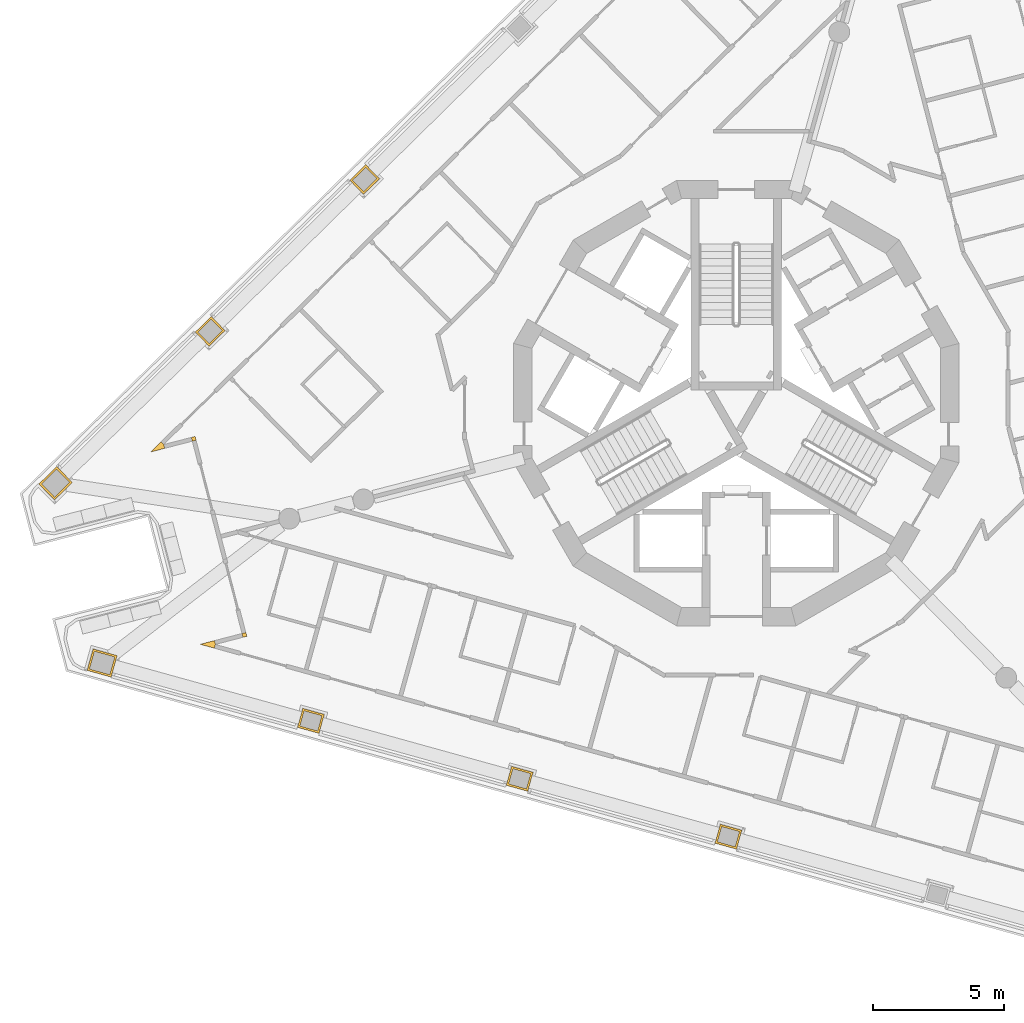
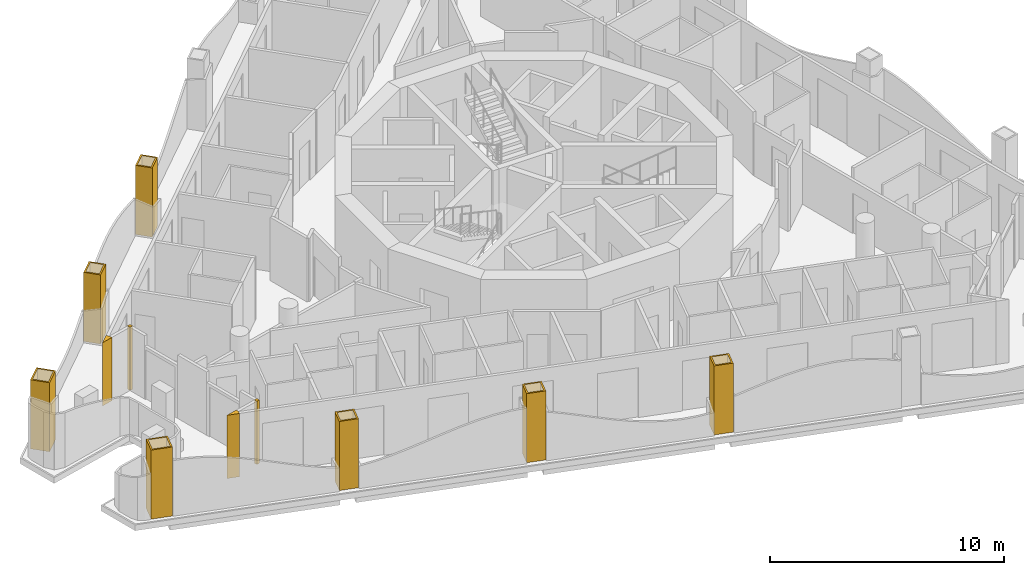
# One storey, part 10 of 15: 11 coverings.
"""IFC4 building model written with IfcOpenShell, lengths in metres."""

from ifc_helpers import new_model, si_unit, direction, frame, origin, place, context, subcontext, project, spatial, polyline, outline, extrude, material, layer, layer_set, type_object, element, save


model = new_model("IFC4")

# Units and contexts
model_context = context("Model", 3, precision=1e-05, world=origin(), true_north=direction((0.0, 1.0)))
body_context = subcontext(model_context, "Body", "Model", "MODEL_VIEW")
ifc_project = project(units=[si_unit("LENGTHUNIT", "METRE"), si_unit("AREAUNIT", "SQUARE_METRE"), si_unit("VOLUMEUNIT", "CUBIC_METRE"), si_unit("PLANEANGLEUNIT", "RADIAN"), si_unit("MASSUNIT", "GRAM", prefix="KILO")], contexts=[model_context])

# Site, building, storey
site_placement = place(None, origin())
site = spatial("IfcSite", under=ifc_project, at=site_placement, CompositionType="ELEMENT")
building_placement = place(site_placement, origin())
building = spatial("IfcBuilding", under=site, at=building_placement, Name="Trine Commons Tower", CompositionType="ELEMENT")
storey_placement = place(building_placement, frame((0.0, 0.0, 256.5)))
storey = spatial("IfcBuildingStorey", under=building, at=storey_placement, Name="L67", CompositionType="ELEMENT", Elevation=256.5)

# Coverings
ifc_material_1 = material(Name="Aluminium-framed insulated wall panel", Category="aluminium")
ifc_layer_1 = layer(ifc_material_1, 0.14990234375)
ifc_layer_set_1 = layer_set([ifc_layer_1], Name="Aluminium-framed insulated wall panel")
covering_type_1 = type_object("IfcCoveringType", Name="Glazing corner post, aluminium", PredefinedType="CLADDING", material=ifc_layer_set_1)
covering_1_placement = place(storey_placement, origin())
element("IfcCovering", 1, at=covering_1_placement, inside=storey, type_object=covering_type_1, Name="Glazing corner post 7-01", PredefinedType="CLADDING", context=body_context, shape_type="SweptSolid", body=[
    extrude(outline(polyline([(58.186279296875, 60.773193359375), (58.14892578125, 60.91845703125), (58.043701171875, 61.025390625), (57.644287109375, 60.63330078125), (58.186279296875, 60.773193359375)])), origin(), (0.0, 0.0, 1.0), 3.300048828125),
])
covering_2_placement = place(storey_placement, origin())
element("IfcCovering", 2, at=covering_2_placement, inside=storey, type_object=covering_type_1, Name="Glazing corner post 7-10", PredefinedType="CLADDING", context=body_context, shape_type="SweptSolid", body=[
    extrude(outline(polyline([(60.081787109375, 53.14501953125), (60.121826171875, 53.28955078125), (60.084228515625, 53.434814453125), (59.542236328125, 53.294677734375), (60.081787109375, 53.14501953125)])), origin(), (0.0, 0.0, 1.0), 3.300048828125),
])
covering_3_placement = place(storey_placement, origin())
element("IfcCovering", 3, at=covering_3_placement, inside=storey, type_object=covering_type_1, Name="Glazing corner post 7-11", PredefinedType="CLADDING", context=body_context, shape_type="SweptSolid", body=[
    extrude(outline(polyline([(61.135498046875, 53.70654296875), (61.135498046875, 53.70654296875), (61.173095703125, 53.561279296875), (61.318115234375, 53.598876953125), (61.28076171875, 53.744140625), (61.135498046875, 53.70654296875)])), origin(), (0.0, 0.0, 1.0), 3.300048828125),
])
covering_4_placement = place(storey_placement, origin())
element("IfcCovering", 4, at=covering_4_placement, inside=storey, type_object=covering_type_1, Name="Glazing corner post 7-12", PredefinedType="CLADDING", context=body_context, shape_type="SweptSolid", body=[
    extrude(outline(polyline([(59.199951171875, 61.1904296875), (59.237548828125, 61.045166015625), (59.3828125, 61.082763671875), (59.34521484375, 61.227783203125), (59.199951171875, 61.1904296875)])), origin(), (0.0, 0.0, 1.0), 3.300048828125),
])
ifc_material_2 = material(Name="Limestone, honed", Category="masonry")
ifc_layer_2 = layer(ifc_material_2, 0.074951171875)
ifc_layer_set_2 = layer_set([ifc_layer_2], Name="Limestone, honed")
covering_type_2 = type_object("IfcCoveringType", Name="Limestone column cladding 75", PredefinedType="CLADDING", material=ifc_layer_set_2)
covering_5_placement = place(storey_placement, origin())
element("IfcCovering", 5, at=covering_5_placement, inside=storey, type_object=covering_type_2, Name="Limestone pier cladding 7-03", PredefinedType="CLADDING", context=body_context, shape_type="SweptSolid", body=[
    extrude(outline(polyline([(79.3916015625, 46.42529296875), (79.19091796875, 45.70263671875), (80.010009765625, 45.4755859375), (80.210693359375, 46.1982421875), (79.3916015625, 46.42529296875)]), holes=[polyline([(79.443603515625, 46.3330078125), (79.283447265625, 45.7548828125), (79.9580078125, 45.56787109375), (80.1181640625, 46.14599609375), (79.443603515625, 46.3330078125)])]), origin(), (0.0, 0.0, 1.0), 3.60009765625),
])
covering_6_placement = place(storey_placement, origin())
element("IfcCovering", 6, at=covering_6_placement, inside=storey, type_object=covering_type_2, Name="Limestone pier cladding 7-04", PredefinedType="CLADDING", context=body_context, shape_type="SweptSolid", body=[
    extrude(outline(polyline([(71.423583984375, 48.635009765625), (71.222900390625, 47.912353515625), (72.0419921875, 47.685302734375), (72.24267578125, 48.407958984375), (71.423583984375, 48.635009765625)]), holes=[polyline([(71.4755859375, 48.542724609375), (71.3154296875, 47.964599609375), (71.989990234375, 47.777587890625), (72.150146484375, 48.355712890625), (71.4755859375, 48.542724609375)])]), origin(), (0.0, 0.0, 1.0), 3.60009765625),
])
covering_7_placement = place(storey_placement, origin())
element("IfcCovering", 7, at=covering_7_placement, inside=storey, type_object=covering_type_2, Name="Limestone pier cladding 7-05", PredefinedType="CLADDING", context=body_context, shape_type="SweptSolid", body=[
    extrude(outline(polyline([(63.45556640625, 50.8447265625), (63.2548828125, 50.1220703125), (64.07421875, 49.89501953125), (64.274658203125, 50.61767578125), (63.45556640625, 50.8447265625)]), holes=[polyline([(63.5078125, 50.75244140625), (63.347412109375, 50.17431640625), (64.02197265625, 49.9873046875), (64.18212890625, 50.5654296875), (63.5078125, 50.75244140625)])]), origin(), (0.0, 0.0, 1.0), 3.60009765625),
])
covering_8_placement = place(storey_placement, origin())
element("IfcCovering", 8, at=covering_8_placement, inside=storey, type_object=covering_type_2, Name="Limestone pier cladding 7-06", PredefinedType="CLADDING", context=body_context, shape_type="SweptSolid", body=[
    extrude(outline(polyline([(55.45263671875, 53.115966796875), (55.2255859375, 52.296875), (56.140869140625, 52.04296875), (56.3681640625, 52.862060546875), (55.45263671875, 53.115966796875)]), holes=[polyline([(55.5048828125, 53.023681640625), (55.31787109375, 52.34912109375), (56.088623046875, 52.13525390625), (56.27587890625, 52.809814453125), (55.5048828125, 53.023681640625)])]), origin(), (0.0, 0.0, 1.0), 3.60009765625),
])
covering_9_placement = place(storey_placement, origin())
element("IfcCovering", 9, at=covering_9_placement, inside=storey, type_object=covering_type_2, Name="Limestone pier cladding 7-07", PredefinedType="CLADDING", context=body_context, shape_type="SweptSolid", body=[
    extrude(outline(polyline([(54.65869140625, 59.472412109375), (54.062744140625, 60.078857421875), (53.38525390625, 59.412841796875), (53.98095703125, 58.806640625), (54.65869140625, 59.472412109375)]), holes=[polyline([(54.552490234375, 59.473388671875), (54.06201171875, 59.97265625), (53.4912109375, 59.412109375), (53.98193359375, 58.91259765625), (54.552490234375, 59.473388671875)])]), origin(), (0.0, 0.0, 1.0), 3.60009765625),
])
covering_10_placement = place(storey_placement, origin())
element("IfcCovering", 10, at=covering_10_placement, inside=storey, type_object=covering_type_2, Name="Limestone pier cladding 7-08", PredefinedType="CLADDING", context=body_context, shape_type="SweptSolid", body=[
    extrude(outline(polyline([(60.485595703125, 65.268798828125), (59.959716796875, 65.8037109375), (59.353515625, 65.2080078125), (59.879150390625, 64.6728515625), (60.485595703125, 65.268798828125)]), holes=[polyline([(60.37939453125, 65.26953125), (59.958984375, 65.697509765625), (59.459716796875, 65.20703125), (59.880126953125, 64.779052734375), (60.37939453125, 65.26953125)])]), origin(), (0.0, 0.0, 1.0), 3.60009765625),
])
covering_11_placement = place(storey_placement, origin())
element("IfcCovering", 11, at=covering_11_placement, inside=storey, type_object=covering_type_2, Name="Limestone pier cladding 7-09", PredefinedType="CLADDING", context=body_context, shape_type="SweptSolid", body=[
    extrude(outline(polyline([(66.38330078125, 71.064208984375), (65.857421875, 71.599365234375), (65.251220703125, 71.00341796875), (65.77685546875, 70.468505859375), (66.38330078125, 71.064208984375)]), holes=[polyline([(66.277099609375, 71.065185546875), (65.856689453125, 71.4931640625), (65.357421875, 71.002685546875), (65.77783203125, 70.57470703125), (66.277099609375, 71.065185546875)])]), origin(), (0.0, 0.0, 1.0), 3.60009765625),
])

save(model, "model.ifc")
